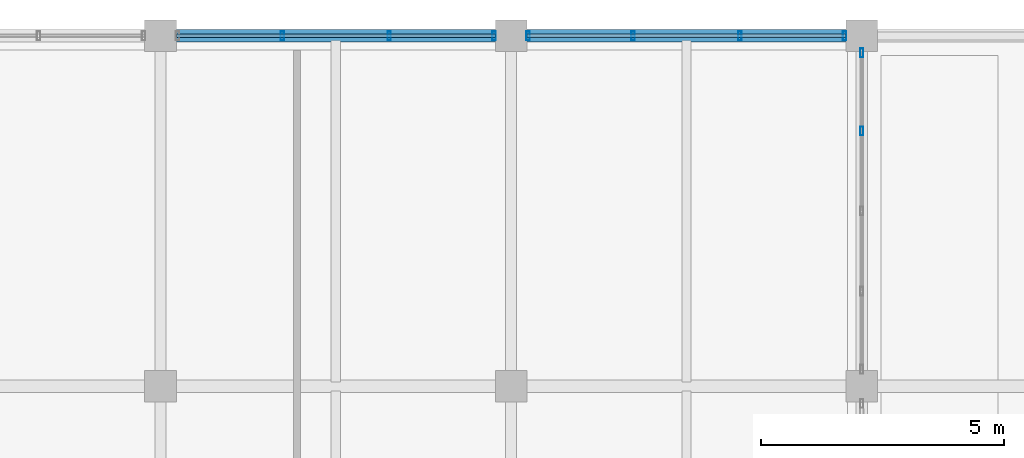
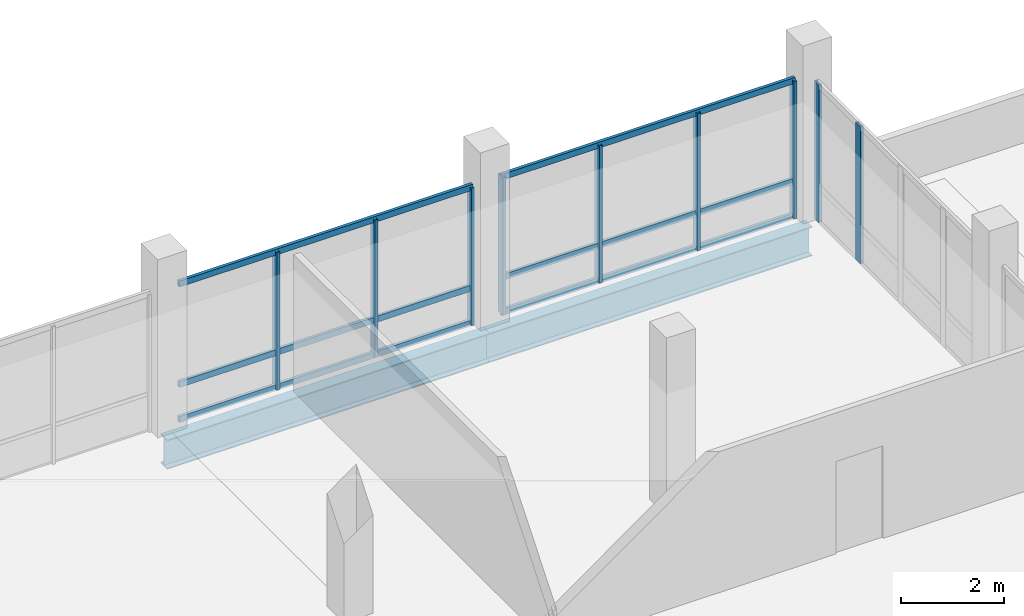
# One storey, part 66 of 102: 15 members, 2 beams, 3 elements without a shape of their own.
"""IFC4 building model written with IfcOpenShell, lengths in metres."""

from ifc_helpers import new_model, si_unit, direction, frame, origin, origin_2d, place, context, subcontext, project, spatial, hollow_rectangle, i_section, extrude, material, material_profile, profile_set, type_object, element, aggregate, save


model = new_model("IFC4")

# Units and contexts
model_context = context("Model", 3, precision=1e-05, world=origin(), true_north=direction((0.0, 1.0)))
body_context = subcontext(model_context, "Body", "Model", "MODEL_VIEW")
ifc_project = project(units=[si_unit("LENGTHUNIT", "METRE"), si_unit("AREAUNIT", "SQUARE_METRE"), si_unit("VOLUMEUNIT", "CUBIC_METRE"), si_unit("PLANEANGLEUNIT", "RADIAN"), si_unit("MASSUNIT", "GRAM", prefix="KILO")], contexts=[model_context])

# Site, building, storey
site_placement = place(None, origin())
site = spatial("IfcSite", under=ifc_project, at=site_placement, CompositionType="ELEMENT")
building_placement = place(site_placement, origin())
building = spatial("IfcBuilding", under=site, at=building_placement, Name="Yarey Park Central Fire Station", CompositionType="ELEMENT")
storey_placement = place(building_placement, frame((0.0, 0.0, 6.0)))
storey = spatial("IfcBuildingStorey", under=building, at=storey_placement, Name="L02", CompositionType="ELEMENT", Elevation=6.0)

# Curtain wall, members
ifc_material_1 = material(Name="Anodized Aluminium Frame", Category="aluminium")
curtain_wall_type = type_object("IfcCurtainWallType", Name="ENV_CW_HQ_L02", PredefinedType="NOTDEFINED", material=ifc_material_1)
curtain_wall_1_placement = place(storey_placement, origin())
curtain_wall_1 = element("IfcCurtainWall", 1, at=curtain_wall_1_placement, inside=storey, type_object=curtain_wall_type, Name="CW_L02_V4_N_5", PredefinedType="NOTDEFINED")
ifc_material_profile_1 = material_profile(ifc_material_1, hollow_rectangle(XDim=0.070068359375, YDim=0.179931640625, WallThickness=0.00390625, at=origin_2d()), Name="ALU 180x70x4")
ifc_profile_set_1 = profile_set([ifc_material_profile_1], Name="Anodized Aluminium Frame")
member_type_1 = type_object("IfcMemberType", Name="ENV_CW_MULLION", PredefinedType="MULLION", material=ifc_profile_set_1)
member_1_placement = place(storey_placement, frame((150.85009765625, 115.199951171875, 0.0), z_axis=(0.0, 0.0, 1.0), x_axis=(1.0, 0.0, 0.0)))
member_1 = element("IfcMember", 2, at=member_1_placement, type_object=member_type_1, Name="CW_L02_V4_N_5_MUL1", PredefinedType="MULLION", context=body_context, shape_type="SweptSolid", body=[
    extrude(hollow_rectangle(XDim=0.070068359375, YDim=0.179931640625, WallThickness=0.00390625, at=origin_2d()), origin(), (0.0, 0.0, 1.0), 3.2470703125),
])
member_2_placement = place(storey_placement, frame((148.69677734375, 115.199951171875, 0.0), z_axis=(0.0, 0.0, 1.0), x_axis=(1.0, 0.0, 0.0)))
member_2 = element("IfcMember", 3, at=member_2_placement, type_object=member_type_1, Name="CW_L02_V4_N_5_MUL2", PredefinedType="MULLION", context=body_context, shape_type="SweptSolid", body=[
    extrude(hollow_rectangle(XDim=0.070068359375, YDim=0.179931640625, WallThickness=0.00390625, at=origin_2d()), origin(), (0.0, 0.0, 1.0), 3.2470703125),
])
member_3_placement = place(storey_placement, frame((146.50341796875, 115.199951171875, 0.0), z_axis=(0.0, 0.0, 1.0), x_axis=(1.0, 0.0, 0.0)))
member_3 = element("IfcMember", 4, at=member_3_placement, type_object=member_type_1, Name="CW_L02_V4_N_5_MUL3", PredefinedType="MULLION", context=body_context, shape_type="SweptSolid", body=[
    extrude(hollow_rectangle(XDim=0.070068359375, YDim=0.179931640625, WallThickness=0.00390625, at=origin_2d()), origin(), (0.0, 0.0, 1.0), 3.2470703125),
])

curtain_wall_2_placement = place(storey_placement, origin())
curtain_wall_2 = element("IfcCurtainWall", 5, at=curtain_wall_2_placement, inside=storey, type_object=curtain_wall_type, Name="CW_L02_V4_N_6", PredefinedType="NOTDEFINED")
member_4_placement = place(storey_placement, frame((158.050048828125, 115.199951171875, 0.0), z_axis=(0.0, 0.0, 1.0), x_axis=(1.0, 0.0, 0.0)))
member_4 = element("IfcMember", 6, at=member_4_placement, type_object=member_type_1, Name="CW_L02_V4_N_6_MUL1", PredefinedType="MULLION", context=body_context, shape_type="SweptSolid", body=[
    extrude(hollow_rectangle(XDim=0.070068359375, YDim=0.179931640625, WallThickness=0.00390625, at=origin_2d()), origin(), (0.0, 0.0, 1.0), 3.2470703125),
])
member_5_placement = place(storey_placement, frame((155.896728515625, 115.199951171875, 0.0), z_axis=(0.0, 0.0, 1.0), x_axis=(1.0, 0.0, 0.0)))
member_5 = element("IfcMember", 7, at=member_5_placement, type_object=member_type_1, Name="CW_L02_V4_N_6_MUL2", PredefinedType="MULLION", context=body_context, shape_type="SweptSolid", body=[
    extrude(hollow_rectangle(XDim=0.070068359375, YDim=0.179931640625, WallThickness=0.00390625, at=origin_2d()), origin(), (0.0, 0.0, 1.0), 3.2470703125),
])
member_6_placement = place(storey_placement, frame((153.703369140625, 115.199951171875, 0.0), z_axis=(0.0, 0.0, 1.0), x_axis=(1.0, 0.0, 0.0)))
member_6 = element("IfcMember", 8, at=member_6_placement, type_object=member_type_1, Name="CW_L02_V4_N_6_MUL3", PredefinedType="MULLION", context=body_context, shape_type="SweptSolid", body=[
    extrude(hollow_rectangle(XDim=0.070068359375, YDim=0.179931640625, WallThickness=0.00390625, at=origin_2d()), origin(), (0.0, 0.0, 1.0), 3.2470703125),
])
member_7_placement = place(storey_placement, frame((151.550048828125, 115.199951171875, 0.0), z_axis=(0.0, 0.0, 1.0), x_axis=(1.0, 0.0, 0.0)))
member_7 = element("IfcMember", 9, at=member_7_placement, type_object=member_type_1, Name="CW_L02_V4_N_6_MUL4", PredefinedType="MULLION", context=body_context, shape_type="SweptSolid", body=[
    extrude(hollow_rectangle(XDim=0.070068359375, YDim=0.179931640625, WallThickness=0.00390625, at=origin_2d()), origin(), (0.0, 0.0, 1.0), 3.2470703125),
])

curtain_wall_3_placement = place(storey_placement, origin())
curtain_wall_3 = element("IfcCurtainWall", 10, at=curtain_wall_3_placement, inside=storey, type_object=curtain_wall_type, Name="CW_L02_V4_E_108", PredefinedType="NOTDEFINED")
member_8_placement = place(storey_placement, frame((158.39990234375, 113.2451171875, 0.0), z_axis=(0.0, 0.0, 1.0), x_axis=(1.0, 0.0, 0.0)))
member_8 = element("IfcMember", 11, at=member_8_placement, type_object=member_type_1, Name="CW_L02_V4_E_108_MUL4", PredefinedType="MULLION", context=body_context, shape_type="SweptSolid", body=[
    extrude(hollow_rectangle(XDim=0.070068359375, YDim=0.179931640625, WallThickness=0.00390625, at=origin_2d()), origin(), (0.0, 0.0, 1.0), 3.25),
])
member_9_placement = place(storey_placement, frame((158.39990234375, 114.85009765625, 0.0), z_axis=(0.0, 0.0, 1.0), x_axis=(1.0, 0.0, 0.0)))
member_9 = element("IfcMember", 12, at=member_9_placement, type_object=member_type_1, Name="CW_L02_V4_E_108_MUL5", PredefinedType="MULLION", context=body_context, shape_type="SweptSolid", body=[
    extrude(hollow_rectangle(XDim=0.070068359375, YDim=0.179931640625, WallThickness=0.00390625, at=origin_2d()), origin(), (0.0, 0.0, 1.0), 3.25),
])
aggregate(curtain_wall_3, [member_8, member_9])

# Member
ifc_material_profile_2 = material_profile(ifc_material_1, hollow_rectangle(XDim=0.070068359375, YDim=0.139892578125, WallThickness=0.00390625, at=origin_2d()), Name="ALU 140x70x4")
ifc_profile_set_2 = profile_set([ifc_material_profile_2], Name="Anodized Aluminium Frame")
member_type_2 = type_object("IfcMemberType", Name="ENV_CW_TRANSOM", PredefinedType="USERDEFINED", material=ifc_profile_set_2)
member_10_placement = place(storey_placement, frame((150.875, 115.199951171875, 0.02490234375), z_axis=(-1.0, 0.0, 0.0), x_axis=(0.0, -1.0, 0.0)))
member_10 = element("IfcMember", 13, at=member_10_placement, type_object=member_type_2, Name="CW_L02_V4_N_5_TRN1", ObjectType="TRANSOM", PredefinedType="USERDEFINED", context=body_context, shape_type="SweptSolid", body=[
    extrude(hollow_rectangle(XDim=0.070068359375, YDim=0.139892578125, WallThickness=0.00390625, at=origin_2d()), origin(), (0.0, 0.0, 1.0), 6.550048828125),
])

member_11_placement = place(storey_placement, frame((150.875, 115.199951171875, 0.85009765625), z_axis=(-1.0, 0.0, 0.0), x_axis=(0.0, -1.0, 0.0)))
member_11 = element("IfcMember", 14, at=member_11_placement, type_object=member_type_2, Name="CW_L02_V4_N_5_TRN2", ObjectType="TRANSOM", PredefinedType="USERDEFINED", context=body_context, shape_type="SweptSolid", body=[
    extrude(hollow_rectangle(XDim=0.070068359375, YDim=0.139892578125, WallThickness=0.00390625, at=origin_2d()), origin(), (0.0, 0.0, 1.0), 6.550048828125),
])

member_12_placement = place(storey_placement, frame((150.875, 115.199951171875, 3.221923828125), z_axis=(-1.0, 0.0, 0.0), x_axis=(0.0, -1.0, 0.0)))
member_12 = element("IfcMember", 15, at=member_12_placement, type_object=member_type_2, Name="CW_L02_V4_N_5_TRN3", ObjectType="TRANSOM", PredefinedType="USERDEFINED", context=body_context, shape_type="SweptSolid", body=[
    extrude(hollow_rectangle(XDim=0.070068359375, YDim=0.139892578125, WallThickness=0.00390625, at=origin_2d()), origin(), (0.0, 0.0, 1.0), 6.550048828125),
])

aggregate(curtain_wall_1, [member_1, member_2, member_3, member_10, member_11, member_12])

member_13_placement = place(storey_placement, frame((158.074951171875, 115.199951171875, 0.02490234375), z_axis=(-1.0, 0.0, 0.0), x_axis=(0.0, -1.0, 0.0)))
member_13 = element("IfcMember", 16, at=member_13_placement, type_object=member_type_2, Name="CW_L02_V4_N_6_TRN1", ObjectType="TRANSOM", PredefinedType="USERDEFINED", context=body_context, shape_type="SweptSolid", body=[
    extrude(hollow_rectangle(XDim=0.070068359375, YDim=0.139892578125, WallThickness=0.00390625, at=origin_2d()), origin(), (0.0, 0.0, 1.0), 6.550048828125),
])

member_14_placement = place(storey_placement, frame((158.074951171875, 115.199951171875, 0.85009765625), z_axis=(-1.0, 0.0, 0.0), x_axis=(0.0, -1.0, 0.0)))
member_14 = element("IfcMember", 17, at=member_14_placement, type_object=member_type_2, Name="CW_L02_V4_N_6_TRN2", ObjectType="TRANSOM", PredefinedType="USERDEFINED", context=body_context, shape_type="SweptSolid", body=[
    extrude(hollow_rectangle(XDim=0.070068359375, YDim=0.139892578125, WallThickness=0.00390625, at=origin_2d()), origin(), (0.0, 0.0, 1.0), 6.550048828125),
])

member_15_placement = place(storey_placement, frame((158.074951171875, 115.199951171875, 3.221923828125), z_axis=(-1.0, 0.0, 0.0), x_axis=(0.0, -1.0, 0.0)))
member_15 = element("IfcMember", 18, at=member_15_placement, type_object=member_type_2, Name="CW_L02_V4_N_6_TRN3", ObjectType="TRANSOM", PredefinedType="USERDEFINED", context=body_context, shape_type="SweptSolid", body=[
    extrude(hollow_rectangle(XDim=0.070068359375, YDim=0.139892578125, WallThickness=0.00390625, at=origin_2d()), origin(), (0.0, 0.0, 1.0), 6.550048828125),
])

aggregate(curtain_wall_2, [member_4, member_5, member_6, member_7, member_13, member_14, member_15])

# Beams
ifc_material_2 = material(Name="Steel ASTM A992 Gr. 50", Category="steel")
ifc_material_profile_3 = material_profile(ifc_material_2, i_section(OverallWidth=0.256103515625, OverallDepth=0.693115234375, WebThickness=0.014404296875, FlangeThickness=0.023681640625, at=origin_2d()), Name="W690x170")
ifc_profile_set_3 = profile_set([ifc_material_profile_3], Name="Steel ASTM A992 Gr. 50")
beam_type = type_object("IfcBeamType", Name="STR_BM_W690", PredefinedType="BEAM", material=ifc_profile_set_3)
for number, where, z_axis, x_axis, name in (
    (19, (144.0, 115.199951171875, -0.631591796875), (1.0, 0.0, 0.0), (0.0, 1.0, 0.0), "BMX L02 Y1152 X1440"),
    (20, (151.199951171875, 115.199951171875, -0.631591796875), (1.0, 0.0, 0.0), (0.0, 1.0, 0.0), "BMX L02 Y1152 X1512"),
):
    element("IfcBeam", number, at=place(storey_placement, frame(where, z_axis=z_axis, x_axis=x_axis)), inside=storey, type_object=beam_type, Name=name, PredefinedType="BEAM", context=body_context, shape_type="SweptSolid", body=[
        extrude(i_section(OverallWidth=0.256103515625, OverallDepth=0.693115234375, WebThickness=0.014404296875, FlangeThickness=0.023681640625, at=origin_2d()), origin(), (0.0, 0.0, 1.0), 7.199951171875),
    ])

save(model, "model.ifc")
